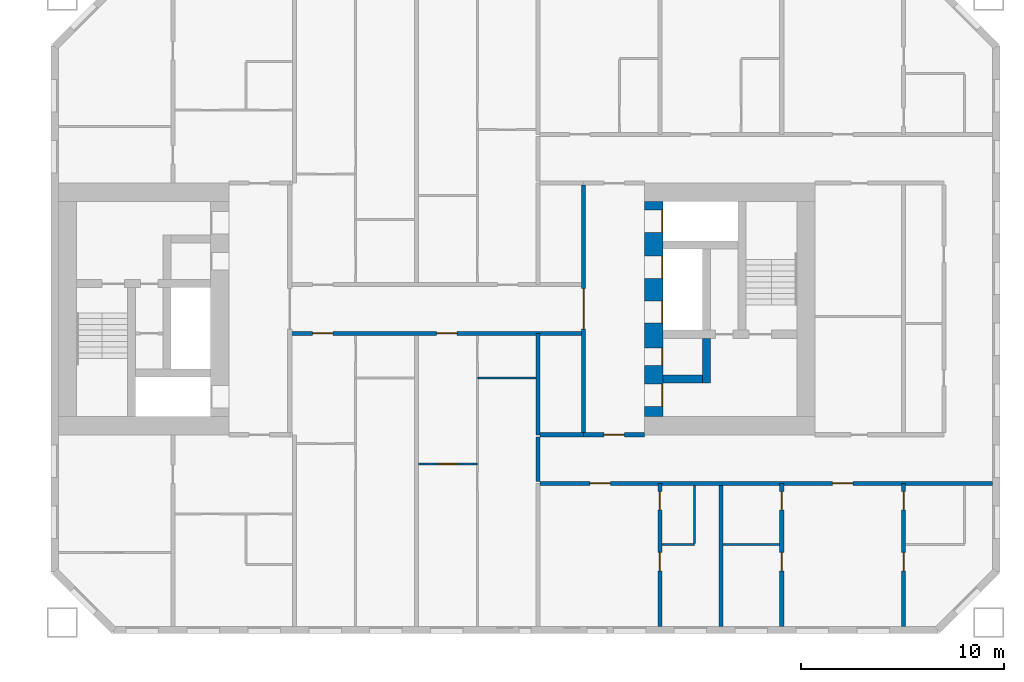
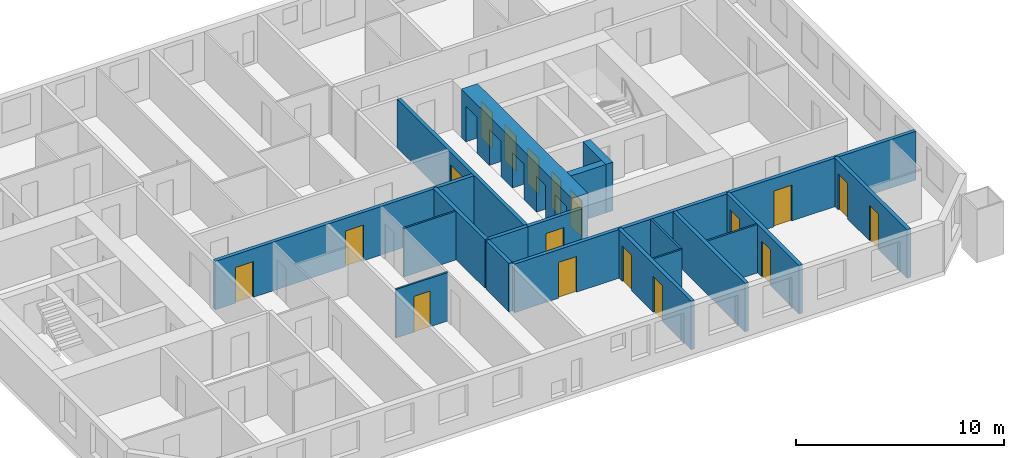
# One storey, part 11 of 16: 19 walls, 18 doors, 18 openings.
"""IFC4 building model written with IfcOpenShell, lengths in metres."""

import ifcopenshell
import ifcopenshell.guid

model = None  # the IFC model being written
_history = None  # IfcOwnerHistory: only IFC2X3 demands one
_inside = {}  # id of a spatial element -> (the spatial element, [elements in it])
_under = {}  # id of a project, library or spatial element -> (it, [spatial elements below it])
_declared = {}  # id of a project -> (the project, [libraries it declares])
_typed = {}  # id of a type object -> (the type object, [elements of that type])
_made_of = {}  # id of a material, layer set ... -> (it, [elements and type objects made of it])


def new_model(schema):
    """Start an empty IFC model of exactly this schema.

    Asked for "IFC4X3", IfcOpenShell would pick the latest addendum, in which some entities
    have other attributes; the version numbers below select the first issue.
    IFC2X3 requires an IfcOwnerHistory on every rooted entity: one is made here for all.
    """
    global model, _history
    if schema == "IFC4X3":
        model = ifcopenshell.file(schema_version=(4, 3, 0, 0))
    else:
        model = ifcopenshell.file(schema=schema)
    _inside.clear()
    _under.clear()
    _declared.clear()
    _typed.clear()
    _made_of.clear()
    _history = None
    if model.schema == "IFC2X3":
        org = make("IfcOrganization", Name="unknown")
        user = make(
            "IfcPersonAndOrganization",
            ThePerson=make("IfcPerson", FamilyName="unknown"),
            TheOrganization=org,
        )
        app = make(
            "IfcApplication",
            ApplicationDeveloper=org,
            Version="unknown",
            ApplicationFullName="unknown",
            ApplicationIdentifier="unknown",
        )
        _history = make(
            "IfcOwnerHistory",
            OwningUser=user,
            OwningApplication=app,
            ChangeAction="ADDED",
            CreationDate=0,
        )
    return model


def make(cls, **values):
    """One entity of the class cls with the attributes given. An attribute that is None is left unset."""
    return model.create_entity(
        cls, **{name: value for name, value in values.items() if value is not None}
    )


def rooted(cls, **values):
    """An entity with a GlobalId (a new one), such as an element, a storey or a relation."""
    return make(cls, GlobalId=ifcopenshell.guid.new(), OwnerHistory=_history, **values)


def si_unit(unit_type, name, prefix=None):
    """IfcSIUnit, for example si_unit("LENGTHUNIT", "METRE", prefix="MILLI")."""
    return make("IfcSIUnit", UnitType=unit_type, Prefix=prefix, Name=name)


def assignment(units):
    """IfcUnitAssignment: the units of a project."""
    return None if units is None else make("IfcUnitAssignment", Units=units)


def point(xyz):
    """IfcCartesianPoint."""
    return None if xyz is None else make("IfcCartesianPoint", Coordinates=xyz)


def direction(xyz):
    """IfcDirection."""
    return None if xyz is None else make("IfcDirection", DirectionRatios=xyz)


def frame(location, z_axis=None, x_axis=None):
    """IfcAxis2Placement3D, a coordinate frame: its origin and axes. An axis left out is left unset."""
    return make(
        "IfcAxis2Placement3D",
        Location=point(location),
        Axis=direction(z_axis),
        RefDirection=direction(x_axis),
    )


def frame_2d(location, x_axis=None):
    """IfcAxis2Placement2D, a coordinate frame in the plane: its origin and x axis."""
    return make(
        "IfcAxis2Placement2D", Location=point(location), RefDirection=direction(x_axis)
    )


def origin():
    """The frame at (0, 0, 0) with its axes left unset."""
    return frame((0.0, 0.0, 0.0))


def place(relative_to, where):
    """IfcLocalPlacement: puts the frame where relative to a parent placement (None: the world)."""
    return make(
        "IfcLocalPlacement", PlacementRelTo=relative_to, RelativePlacement=where
    )


def context(
    kind, dimensions, precision=None, world=None, true_north=None, identifier=None
):
    """IfcGeometricRepresentationContext, for example the 3D "Model" context."""
    return make(
        "IfcGeometricRepresentationContext",
        ContextIdentifier=identifier,
        ContextType=kind,
        CoordinateSpaceDimension=dimensions,
        Precision=precision,
        WorldCoordinateSystem=world,
        TrueNorth=true_north,
    )


def subcontext(parent, identifier, kind, view, scale=None):
    """IfcGeometricRepresentationSubContext, for example "Body" below "Model"."""
    return make(
        "IfcGeometricRepresentationSubContext",
        ContextIdentifier=identifier,
        ContextType=kind,
        ParentContext=parent,
        TargetScale=scale,
        TargetView=view,
    )


def project(units=None, contexts=None):
    """IfcProject with its units and contexts."""
    return rooted(
        "IfcProject",
        Name="project",
        RepresentationContexts=contexts,
        UnitsInContext=assignment(units),
    )


def spatial(cls, under=None, at=None, **own):
    """A site, building, storey or space (cls), placed at a placement, below another one or the project."""
    s = rooted(cls, ObjectPlacement=at, **own)
    if under is not None:
        _under.setdefault(under.id(), (under, []))[1].append(s)
    return s


def profile(cls, at=None, kind="AREA", **sizes):
    """A parametric profile (cls). Its sizes go by their IFC names, for example OverallWidth=200.0."""
    return make(cls, ProfileType=kind, Position=at, **sizes)


def rectangle(**sizes):
    """IfcRectangleProfileDef."""
    return profile("IfcRectangleProfileDef", **sizes)


def extrude(swept, where, along, depth):
    """IfcExtrudedAreaSolid: the profile swept, set in the frame where, extruded along a direction by depth."""
    return make(
        "IfcExtrudedAreaSolid",
        SweptArea=swept,
        Position=where,
        ExtrudedDirection=direction(along),
        Depth=depth,
    )


def shape(context_of_items, identifier, shape_type, items):
    """IfcShapeRepresentation: the items that make up one representation, for example the "Body"."""
    return make(
        "IfcShapeRepresentation",
        ContextOfItems=context_of_items,
        RepresentationIdentifier=identifier,
        RepresentationType=shape_type,
        Items=items,
    )


def material(Name=None, Category=None):
    """IfcMaterial."""
    return make("IfcMaterial", Name=Name, Category=Category)


def layer(
    of_material, thickness, ventilated=None, Name=None, Category=None, Priority=None
):
    """IfcMaterialLayer: one layer of a wall or slab, of a material (None: an air gap)."""
    return make(
        "IfcMaterialLayer",
        Material=of_material,
        LayerThickness=thickness,
        IsVentilated=ventilated,
        Name=Name,
        Category=Category,
        Priority=Priority,
    )


def layer_set(layers, Name=None):
    """IfcMaterialLayerSet."""
    return make("IfcMaterialLayerSet", MaterialLayers=layers, LayerSetName=Name)


def made_of(thing, what):
    """Note that an element or type object is made of a material, layer set ...; save() writes the relation."""
    if what is not None:
        _made_of.setdefault(what.id(), (what, []))[1].append(thing)
    return thing


def type_object(cls, material=None, **own):
    """A type object (cls), such as IfcWallType, which elements share."""
    return made_of(rooted(cls, **own), material)


def element(
    cls,
    number,
    at=None,
    inside=None,
    cuts=None,
    type_object=None,
    material=None,
    context=None,
    identifier="Body",
    shape_type=None,
    held_by="IfcProductDefinitionShape",
    body=None,
    shapes=None,
    **own,
):
    """One element of the class cls, such as IfcWall. Its Tag is "e" and its number.

    at: its placement. inside: the storey or other place that contains it. cuts: it is an
    opening in that element (IfcRelVoidsElement). A single representation is given by context,
    identifier, shape_type and body (its items); several are given by shapes. held_by: the class
    of the entity that holds the representations. save() writes the other relations.
    """
    e = rooted(cls, Tag="e%d" % number, ObjectPlacement=at, **own)
    if body is not None:
        shapes = [shape(context, identifier, shape_type, body)]
    if shapes is not None:
        e.Representation = make(held_by, Representations=shapes)
    if inside is not None:
        _inside.setdefault(inside.id(), (inside, []))[1].append(e)
    if cuts is not None:
        rooted(
            "IfcRelVoidsElement", RelatingBuildingElement=cuts, RelatedOpeningElement=e
        )
    if type_object is not None:
        _typed.setdefault(type_object.id(), (type_object, []))[1].append(e)
    return made_of(e, material)


def fill(opening, filler):
    """IfcRelFillsElement: the door or window that sits in an opening."""
    return rooted(
        "IfcRelFillsElement",
        RelatingOpeningElement=opening,
        RelatedBuildingElement=filler,
    )


def aggregate(whole, parts):
    """IfcRelAggregates: a whole, such as a stair, and the parts it consists of."""
    return rooted("IfcRelAggregates", RelatingObject=whole, RelatedObjects=parts)


def save(model, path):
    """Write the relations noted so far, then the file.

    IfcRelAggregates (storeys below a building ...), IfcRelContainedInSpatialStructure (elements
    in a storey), IfcRelDefinesByType, IfcRelAssociatesMaterial and IfcRelDeclares: one each for
    every whole, place, type object, material and project.
    """
    for whole, parts in _under.values():
        aggregate(whole, parts)
    for where, things in _inside.values():
        rooted(
            "IfcRelContainedInSpatialStructure",
            RelatedElements=things,
            RelatingStructure=where,
        )
    for kind, things in _typed.values():
        rooted("IfcRelDefinesByType", RelatedObjects=things, RelatingType=kind)
    for what, things in _made_of.values():
        rooted("IfcRelAssociatesMaterial", RelatedObjects=things, RelatingMaterial=what)
    for by, libraries in _declared.values():
        rooted("IfcRelDeclares", RelatingContext=by, RelatedDefinitions=libraries)
    model.write(path)


model = new_model("IFC4")

# Units and contexts
model_context = context("Model", 3, precision=1e-05, world=origin(), true_north=direction((0.0, 1.0)))
body_context = subcontext(model_context, "Body", "Model", "MODEL_VIEW")
ifc_project = project(units=[si_unit("LENGTHUNIT", "METRE"), si_unit("AREAUNIT", "SQUARE_METRE"), si_unit("VOLUMEUNIT", "CUBIC_METRE"), si_unit("PLANEANGLEUNIT", "RADIAN"), si_unit("MASSUNIT", "GRAM", prefix="KILO")], contexts=[model_context])

# Site, building, storey
site_placement = place(None, origin())
site = spatial("IfcSite", under=ifc_project, at=site_placement, CompositionType="ELEMENT")
building_placement = place(site_placement, origin())
building = spatial("IfcBuilding", under=site, at=building_placement, Name="Tuart Gate Housing", CompositionType="ELEMENT")
storey_placement = place(building_placement, frame((0.0, 0.0, 35.0)))
storey = spatial("IfcBuildingStorey", under=building, at=storey_placement, Name="L09", CompositionType="ELEMENT", Elevation=35.0)

# Walls
ifc_material_1 = material(Name="Concrete C60", Category="concrete")
ifc_layer_1 = layer(ifc_material_1, 0.39990234375)
ifc_layer_set_1 = layer_set([ifc_layer_1], Name="Core wall 400 C60")
wall_type_1 = type_object("IfcWallType", Name="Core wall 400 C60", PredefinedType="SHEAR", material=ifc_layer_set_1)
wall_1_placement = place(storey_placement, frame((161.139892578125, 66.550048828125, 0.0), z_axis=(0.0, 0.0, 1.0), x_axis=(1.0, 0.0, 0.0)))
element("IfcWall", 1, at=wall_1_placement, inside=storey, type_object=wall_type_1, Name="Core wall BK.3", PredefinedType="SHEAR", context=body_context, shape_type="SweptSolid", body=[
    extrude(rectangle(XDim=1.9501953125, YDim=0.39990234375, at=frame_2d((0.97509765625, 0.0))), origin(), (0.0, 0.0, 1.0), 2.85009765625),
])
wall_2_placement = place(storey_placement, frame((163.2900390625, 68.550048828125, 0.0), z_axis=(0.0, 0.0, 1.0), x_axis=(0.0, -1.0, 0.0)))
element("IfcWall", 2, at=wall_2_placement, inside=storey, type_object=wall_type_1, Name="Core wall BK.5", PredefinedType="SHEAR", context=body_context, shape_type="SweptSolid", body=[
    extrude(rectangle(XDim=2.199951171875, YDim=0.39990234375, at=frame_2d((1.10009765625, 0.0))), origin(), (0.0, 0.0, 1.0), 2.85009765625),
])

# Wall, openings, doors
ifc_material_2 = material(Name="Concrete C60", Category="concrete")
ifc_layer_2 = layer(ifc_material_2, 0.89990234375)
ifc_layer_set_2 = layer_set([ifc_layer_2], Name="Core wall 900 C60")
wall_type_2 = type_object("IfcWallType", Name="Core wall 900 C60", PredefinedType="SHEAR", material=ifc_layer_set_2)
wall_3_placement = place(storey_placement, frame((160.68994140625, 75.300048828125, 0.0), z_axis=(0.0, 0.0, 1.0), x_axis=(0.0, -1.0, 0.0)))
wall_3 = element("IfcWall", 3, at=wall_3_placement, inside=storey, type_object=wall_type_2, Name="Core wall BK front", PredefinedType="SHEAR", context=body_context, shape_type="SweptSolid", body=[
    extrude(rectangle(XDim=10.60009765625, YDim=0.89990234375, at=frame_2d((5.300048828125, 0.0))), origin(), (0.0, 0.0, 1.0), 2.85009765625),
])
opening_1_placement = place(wall_3_placement, frame((0.425048828125, 0.0, 0.0)))
opening_1 = element("IfcOpeningElement", 4, at=opening_1_placement, cuts=wall_3, Name="Opening LD-FB2", PredefinedType="OPENING", context=body_context, shape_type="SweptSolid", body=[
    extrude(rectangle(XDim=1.10009765625, YDim=2.10009765625, at=frame_2d((0.550048828125, 1.050048828125))), frame((0.0, 0.4599609375, 0.0), z_axis=(0.0, -1.0, 0.0), x_axis=(1.0, 0.0, 0.0)), (0.0, 0.0, 1.0), 0.919921875),
])
opening_2_placement = place(wall_3_placement, frame((2.699951171875, 0.0, 0.0)))
opening_2 = element("IfcOpeningElement", 5, at=opening_2_placement, cuts=wall_3, Name="Opening LD-LB3", PredefinedType="OPENING", context=body_context, shape_type="SweptSolid", body=[
    extrude(rectangle(XDim=1.10009765625, YDim=2.10009765625, at=frame_2d((0.550048828125, 1.050048828125))), frame((0.0, 0.4599609375, 0.0), z_axis=(0.0, -1.0, 0.0), x_axis=(1.0, 0.0, 0.0)), (0.0, 0.0, 1.0), 0.919921875),
])
opening_3_placement = place(wall_3_placement, frame((4.89990234375, 0.0, 0.0)))
opening_3 = element("IfcOpeningElement", 6, at=opening_3_placement, cuts=wall_3, Name="Opening LD-LB4", PredefinedType="OPENING", context=body_context, shape_type="SweptSolid", body=[
    extrude(rectangle(XDim=1.10009765625, YDim=2.10009765625, at=frame_2d((0.550048828125, 1.050048828125))), frame((0.0, 0.4599609375, 0.0), z_axis=(0.0, -1.0, 0.0), x_axis=(1.0, 0.0, 0.0)), (0.0, 0.0, 1.0), 0.919921875),
])
opening_4_placement = place(wall_3_placement, frame((9.0, 0.0, 0.0)))
opening_4 = element("IfcOpeningElement", 7, at=opening_4_placement, cuts=wall_3, Name="Opening D560", PredefinedType="OPENING", context=body_context, shape_type="SweptSolid", body=[
    extrude(rectangle(XDim=1.10009765625, YDim=2.10009765625, at=frame_2d((0.550048828125, 1.050048828125))), frame((0.0, 0.4599609375, 0.0), z_axis=(0.0, -1.0, 0.0), x_axis=(1.0, 0.0, 0.0)), (0.0, 0.0, 1.0), 0.919921875),
])
opening_5_placement = place(wall_3_placement, frame((7.22509765625, 0.0, 0.0)))
opening_5 = element("IfcOpeningElement", 8, at=opening_5_placement, cuts=wall_3, Name="Opening D561", PredefinedType="OPENING", context=body_context, shape_type="SweptSolid", body=[
    extrude(rectangle(XDim=0.85009765625, YDim=2.10009765625, at=frame_2d((0.425048828125, 1.050048828125))), frame((0.0, 0.4599609375, 0.0), z_axis=(0.0, -1.0, 0.0), x_axis=(1.0, 0.0, 0.0)), (0.0, 0.0, 1.0), 0.919921875),
])
ifc_material_3 = material(Name="Stainless steel", Category="steel")
door_type_1 = type_object("IfcDoorType", Name="Landing door 1100 x 2100", OperationType="DOUBLE_DOOR_SLIDING", PredefinedType="DOOR", material=ifc_material_3)
door_1_placement = place(opening_1_placement, origin())
door_1 = element("IfcDoor", 9, at=door_1_placement, inside=storey, type_object=door_type_1, Name="Lift landing door FB2", OperationType="DOUBLE_DOOR_SLIDING", OverallHeight=2.10009765625, OverallWidth=1.10009765625, PredefinedType="DOOR", context=body_context, shape_type="SweptSolid", body=[
    extrude(rectangle(XDim=1.10009765625, YDim=2.10009765625, at=frame_2d((0.550048828125, 1.050048828125))), frame((0.0, 0.43505859375, 0.0), z_axis=(0.0, -1.0, 0.0), x_axis=(1.0, 0.0, 0.0)), (0.0, 0.0, 1.0), 0.050048828125),
])
fill(opening_1, door_1)
door_2_placement = place(opening_2_placement, origin())
door_2 = element("IfcDoor", 10, at=door_2_placement, inside=storey, type_object=door_type_1, Name="Lift landing door LB3", OperationType="DOUBLE_DOOR_SLIDING", OverallHeight=2.10009765625, OverallWidth=1.10009765625, PredefinedType="DOOR", context=body_context, shape_type="SweptSolid", body=[
    extrude(rectangle(XDim=1.10009765625, YDim=2.10009765625, at=frame_2d((0.550048828125, 1.050048828125))), frame((0.0, 0.43505859375, 0.0), z_axis=(0.0, -1.0, 0.0), x_axis=(1.0, 0.0, 0.0)), (0.0, 0.0, 1.0), 0.050048828125),
])
fill(opening_2, door_2)
door_3_placement = place(opening_3_placement, origin())
door_3 = element("IfcDoor", 11, at=door_3_placement, inside=storey, type_object=door_type_1, Name="Lift landing door LB4", OperationType="DOUBLE_DOOR_SLIDING", OverallHeight=2.10009765625, OverallWidth=1.10009765625, PredefinedType="DOOR", context=body_context, shape_type="SweptSolid", body=[
    extrude(rectangle(XDim=1.10009765625, YDim=2.10009765625, at=frame_2d((0.550048828125, 1.050048828125))), frame((0.0, 0.43505859375, 0.0), z_axis=(0.0, -1.0, 0.0), x_axis=(1.0, 0.0, 0.0)), (0.0, 0.0, 1.0), 0.050048828125),
])
fill(opening_3, door_3)
ifc_material_4 = material(Name="Steel fire door", Category="steel")
door_type_2 = type_object("IfcDoorType", Name="Lobby door 1100 x 2100", OperationType="SINGLE_SWING_LEFT", PredefinedType="DOOR", material=ifc_material_4)
door_4_placement = place(opening_4_placement, origin())
door_4 = element("IfcDoor", 12, at=door_4_placement, inside=storey, type_object=door_type_2, Name="Lobby entry door BK.EN", OperationType="SINGLE_SWING_LEFT", OverallHeight=2.10009765625, OverallWidth=1.10009765625, PredefinedType="DOOR", context=body_context, shape_type="SweptSolid", body=[
    extrude(rectangle(XDim=1.10009765625, YDim=2.10009765625, at=frame_2d((0.550048828125, 1.050048828125))), frame((0.0, 0.43505859375, 0.0), z_axis=(0.0, -1.0, 0.0), x_axis=(1.0, 0.0, 0.0)), (0.0, 0.0, 1.0), 0.050048828125),
])
fill(opening_4, door_4)
ifc_material_5 = material(Name="Steel fire door", Category="steel")
door_type_3 = type_object("IfcDoorType", Name="Service door 850 x 2100", OperationType="SINGLE_SWING_LEFT", PredefinedType="DOOR", material=ifc_material_5)
door_5_placement = place(opening_5_placement, origin())
door_5 = element("IfcDoor", 13, at=door_5_placement, inside=storey, type_object=door_type_3, Name="Service room door BK.T1", OperationType="SINGLE_SWING_LEFT", OverallHeight=2.10009765625, OverallWidth=0.85009765625, PredefinedType="DOOR", context=body_context, shape_type="SweptSolid", body=[
    extrude(rectangle(XDim=0.85009765625, YDim=2.10009765625, at=frame_2d((0.425048828125, 1.050048828125))), frame((0.0, 0.43505859375, 0.0), z_axis=(0.0, -1.0, 0.0), x_axis=(1.0, 0.0, 0.0)), (0.0, 0.0, 1.0), 0.050048828125),
])
fill(opening_5, door_5)

ifc_material_6 = material(Name="Concrete masonry 15 MPa", Category="masonry")
ifc_layer_3 = layer(ifc_material_6, 0.199951171875)
ifc_layer_set_3 = layer_set([ifc_layer_3], Name="Corridor wall masonry 200")
wall_type_3 = type_object("IfcWallType", Name="Corridor wall masonry 200", PredefinedType="PARTITIONING", material=ifc_layer_set_3)
wall_4_placement = place(storey_placement, frame((155.10009765625, 61.39990234375, 0.0), z_axis=(0.0, 0.0, 1.0), x_axis=(1.0, 0.0, 0.0)))
wall_4 = element("IfcWall", 14, at=wall_4_placement, inside=storey, type_object=wall_type_3, Name="Corridor wall masonry 200", PredefinedType="PARTITIONING", context=body_context, shape_type="SweptSolid", body=[
    extrude(rectangle(XDim=22.289794921875, YDim=0.199951171875, at=frame_2d((11.14501953125, 0.0))), origin(), (0.0, 0.0, 1.0), 2.85009765625),
])
opening_6_placement = place(wall_4_placement, frame((2.449951171875, 0.0, 0.0)))
opening_6 = element("IfcOpeningElement", 15, at=opening_6_placement, cuts=wall_4, Name="Opening D578", PredefinedType="OPENING", context=body_context, shape_type="SweptSolid", body=[
    extrude(rectangle(XDim=1.0, YDim=2.10009765625, at=frame_2d((0.5, 1.050048828125))), frame((0.0, 0.10986328125, 0.0), z_axis=(0.0, -1.0, 0.0), x_axis=(1.0, 0.0, 0.0)), (0.0, 0.0, 1.0), 0.219970703125),
])
opening_7_placement = place(wall_4_placement, frame((14.39990234375, 0.0, 0.0)))
opening_7 = element("IfcOpeningElement", 16, at=opening_7_placement, cuts=wall_4, Name="Opening D579", PredefinedType="OPENING", context=body_context, shape_type="SweptSolid", body=[
    extrude(rectangle(XDim=1.0, YDim=2.10009765625, at=frame_2d((0.5, 1.050048828125))), frame((0.0, 0.10986328125, 0.0), z_axis=(0.0, -1.0, 0.0), x_axis=(1.0, 0.0, 0.0)), (0.0, 0.0, 1.0), 0.219970703125),
])
ifc_material_7 = material(Name="Timber door leaf in steel frame", Category="steel")
door_type_4 = type_object("IfcDoorType", Name="Flat entrance door 1000", OperationType="SINGLE_SWING_LEFT", PredefinedType="DOOR", material=ifc_material_7)
door_6_placement = place(opening_6_placement, frame((1.0, 0.0, 0.0), z_axis=(0.0, 0.0, 1.0), x_axis=(-1.0, 0.0, 0.0)))
door_6 = element("IfcDoor", 17, at=door_6_placement, inside=storey, type_object=door_type_4, Name="Flat entrance door", OperationType="SINGLE_SWING_LEFT", OverallHeight=2.10009765625, OverallWidth=1.0, PredefinedType="DOOR", context=body_context, shape_type="SweptSolid", body=[
    extrude(rectangle(XDim=1.0, YDim=2.10009765625, at=frame_2d((0.5, 1.050048828125))), frame((0.0, 0.025146484375, 0.0), z_axis=(0.0, -1.0, 0.0), x_axis=(1.0, 0.0, 0.0)), (0.0, 0.0, 1.0), 0.050048828125),
])
fill(opening_6, door_6)
ifc_material_8 = material(Name="Timber door leaf in steel frame", Category="steel")
door_type_5 = type_object("IfcDoorType", Name="Flat entrance door 1000 RH", OperationType="SINGLE_SWING_RIGHT", PredefinedType="DOOR", material=ifc_material_8)
door_7_placement = place(opening_7_placement, frame((1.0, 0.0, 0.0), z_axis=(0.0, 0.0, 1.0), x_axis=(-1.0, 0.0, 0.0)))
door_7 = element("IfcDoor", 18, at=door_7_placement, inside=storey, type_object=door_type_5, Name="Flat entrance door", OperationType="SINGLE_SWING_RIGHT", OverallHeight=2.10009765625, OverallWidth=1.0, PredefinedType="DOOR", context=body_context, shape_type="SweptSolid", body=[
    extrude(rectangle(XDim=1.0, YDim=2.10009765625, at=frame_2d((0.5, 1.050048828125))), frame((0.0, 0.025146484375, 0.0), z_axis=(0.0, -1.0, 0.0), x_axis=(1.0, 0.0, 0.0)), (0.0, 0.0, 1.0), 0.050048828125),
])
fill(opening_7, door_7)

# Wall
wall_5_placement = place(storey_placement, frame((155.10009765625, 63.800048828125, 0.0), z_axis=(0.0, 0.0, 1.0), x_axis=(1.0, 0.0, 0.0)))
element("IfcWall", 19, at=wall_5_placement, inside=storey, type_object=wall_type_3, Name="Corridor wall masonry 200", PredefinedType="PARTITIONING", context=body_context, shape_type="SweptSolid", body=[
    extrude(rectangle(XDim=2.139892578125, YDim=0.199951171875, at=frame_2d((1.06982421875, 0.0))), origin(), (0.0, 0.0, 1.0), 2.85009765625),
])

# Wall, openings, doors
wall_6_placement = place(storey_placement, frame((142.760009765625, 68.800048828125, 0.0), z_axis=(0.0, 0.0, 1.0), x_axis=(1.0, 0.0, 0.0)))
wall_6 = element("IfcWall", 20, at=wall_6_placement, inside=storey, type_object=wall_type_3, Name="Corridor wall masonry 200", PredefinedType="PARTITIONING", context=body_context, shape_type="SweptSolid", body=[
    extrude(rectangle(XDim=14.47998046875, YDim=0.199951171875, at=frame_2d((7.239990234375, 0.0))), origin(), (0.0, 0.0, 1.0), 2.85009765625),
])
opening_8_placement = place(wall_6_placement, frame((1.1201171875, 0.0, 0.0)))
opening_8 = element("IfcOpeningElement", 21, at=opening_8_placement, cuts=wall_6, Name="Opening D565", PredefinedType="OPENING", context=body_context, shape_type="SweptSolid", body=[
    extrude(rectangle(XDim=1.0, YDim=2.10009765625, at=frame_2d((0.5, 1.050048828125))), frame((0.0, 0.10986328125, 0.0), z_axis=(0.0, -1.0, 0.0), x_axis=(1.0, 0.0, 0.0)), (0.0, 0.0, 1.0), 0.219970703125),
])
opening_9_placement = place(wall_6_placement, frame((7.239990234375, 0.0, 0.0)))
opening_9 = element("IfcOpeningElement", 22, at=opening_9_placement, cuts=wall_6, Name="Opening D566", PredefinedType="OPENING", context=body_context, shape_type="SweptSolid", body=[
    extrude(rectangle(XDim=1.0, YDim=2.10009765625, at=frame_2d((0.5, 1.050048828125))), frame((0.0, 0.10986328125, 0.0), z_axis=(0.0, -1.0, 0.0), x_axis=(1.0, 0.0, 0.0)), (0.0, 0.0, 1.0), 0.219970703125),
])
door_8_placement = place(opening_8_placement, frame((1.0, 0.0, 0.0), z_axis=(0.0, 0.0, 1.0), x_axis=(-1.0, 0.0, 0.0)))
door_8 = element("IfcDoor", 23, at=door_8_placement, inside=storey, type_object=door_type_5, Name="Flat entrance door", OperationType="SINGLE_SWING_RIGHT", OverallHeight=2.10009765625, OverallWidth=1.0, PredefinedType="DOOR", context=body_context, shape_type="SweptSolid", body=[
    extrude(rectangle(XDim=1.0, YDim=2.10009765625, at=frame_2d((0.5, 1.050048828125))), frame((0.0, 0.025146484375, 0.0), z_axis=(0.0, -1.0, 0.0), x_axis=(1.0, 0.0, 0.0)), (0.0, 0.0, 1.0), 0.050048828125),
])
fill(opening_8, door_8)
door_9_placement = place(opening_9_placement, frame((1.0, 0.0, 0.0), z_axis=(0.0, 0.0, 1.0), x_axis=(-1.0, 0.0, 0.0)))
door_9 = element("IfcDoor", 24, at=door_9_placement, inside=storey, type_object=door_type_5, Name="Flat entrance door", OperationType="SINGLE_SWING_RIGHT", OverallHeight=2.10009765625, OverallWidth=1.0, PredefinedType="DOOR", context=body_context, shape_type="SweptSolid", body=[
    extrude(rectangle(XDim=1.0, YDim=2.10009765625, at=frame_2d((0.5, 1.050048828125))), frame((0.0, 0.025146484375, 0.0), z_axis=(0.0, -1.0, 0.0), x_axis=(1.0, 0.0, 0.0)), (0.0, 0.0, 1.0), 0.050048828125),
])
fill(opening_9, door_9)

# Wall
wall_7_placement = place(storey_placement, frame((155.0, 61.5, 0.0), z_axis=(0.0, 0.0, 1.0), x_axis=(0.0, 1.0, 0.0)))
element("IfcWall", 25, at=wall_7_placement, inside=storey, type_object=wall_type_3, Name="Corridor wall masonry 200", PredefinedType="PARTITIONING", context=body_context, shape_type="SweptSolid", body=[
    extrude(rectangle(XDim=2.199951171875, YDim=0.199951171875, at=frame_2d((1.10009765625, 0.0))), origin(), (0.0, 0.0, 1.0), 2.85009765625),
])

# Wall, opening, door
ifc_material_9 = material(Name="Concrete masonry 15 MPa", Category="masonry")
ifc_layer_4 = layer(ifc_material_9, 0.199951171875)
ifc_layer_set_4 = layer_set([ifc_layer_4], Name="Enclosure wall masonry 200")
wall_type_4 = type_object("IfcWallType", Name="Enclosure wall masonry 200", PredefinedType="PARTITIONING", material=ifc_layer_set_4)
wall_8_placement = place(storey_placement, frame((157.239990234375, 63.800048828125, 0.0), z_axis=(0.0, 0.0, 1.0), x_axis=(1.0, 0.0, 0.0)))
wall_8 = element("IfcWall", 26, at=wall_8_placement, inside=storey, type_object=wall_type_4, Name="Enclosure wall masonry 200", PredefinedType="PARTITIONING", context=body_context, shape_type="SweptSolid", body=[
    extrude(rectangle(XDim=3.0, YDim=0.199951171875, at=frame_2d((1.5, 0.0))), origin(), (0.0, 0.0, 1.0), 2.85009765625),
])
opening_10_placement = place(wall_8_placement, frame((1.0, 0.0, 0.0)))
opening_10 = element("IfcOpeningElement", 27, at=opening_10_placement, cuts=wall_8, Name="Opening D570", PredefinedType="OPENING", context=body_context, shape_type="SweptSolid", body=[
    extrude(rectangle(XDim=1.0, YDim=2.10009765625, at=frame_2d((0.5, 1.050048828125))), frame((0.0, 0.10986328125, 0.0), z_axis=(0.0, -1.0, 0.0), x_axis=(1.0, 0.0, 0.0)), (0.0, 0.0, 1.0), 0.219970703125),
])
ifc_material_10 = material(Name="Timber door leaf in steel frame", Category="steel")
door_type_6 = type_object("IfcDoorType", Name="Fire door 1000 RH", OperationType="SINGLE_SWING_RIGHT", PredefinedType="DOOR", material=ifc_material_10)
door_10_placement = place(opening_10_placement, frame((1.0, 0.0, 0.0), z_axis=(0.0, 0.0, 1.0), x_axis=(-1.0, 0.0, 0.0)))
door_10 = element("IfcDoor", 28, at=door_10_placement, inside=storey, type_object=door_type_6, Name="Fire door", OperationType="SINGLE_SWING_RIGHT", OverallHeight=2.10009765625, OverallWidth=1.0, PredefinedType="DOOR", context=body_context, shape_type="SweptSolid", body=[
    extrude(rectangle(XDim=1.0, YDim=2.10009765625, at=frame_2d((0.5, 1.050048828125))), frame((0.0, 0.025146484375, 0.0), z_axis=(0.0, -1.0, 0.0), x_axis=(1.0, 0.0, 0.0)), (0.0, 0.0, 1.0), 0.050048828125),
])
fill(opening_10, door_10)

ifc_material_11 = material(Name="Plasterboard partition")
ifc_layer_5 = layer(ifc_material_11, 0.199951171875)
ifc_layer_set_5 = layer_set([ifc_layer_5], Name="Lobby wall 200")
wall_type_5 = type_object("IfcWallType", Name="Lobby wall 200", PredefinedType="PARTITIONING", material=ifc_layer_set_5)
wall_9_placement = place(storey_placement, frame((157.239990234375, 63.89990234375, 0.0), z_axis=(0.0, 0.0, 1.0), x_axis=(0.0, 1.0, 0.0)))
wall_9 = element("IfcWall", 29, at=wall_9_placement, inside=storey, type_object=wall_type_5, Name="Lift lobby wall BK", PredefinedType="PARTITIONING", context=body_context, shape_type="SweptSolid", body=[
    extrude(rectangle(XDim=12.2001953125, YDim=0.199951171875, at=frame_2d((6.10009765625, 0.0))), origin(), (0.0, 0.0, 1.0), 2.85009765625),
])
opening_11_placement = place(wall_9_placement, frame((5.10009765625, 0.0, 0.0)))
opening_11 = element("IfcOpeningElement", 30, at=opening_11_placement, cuts=wall_9, Name="Opening D559", PredefinedType="OPENING", context=body_context, shape_type="SweptSolid", body=[
    extrude(rectangle(XDim=2.0, YDim=2.10009765625, at=frame_2d((1.0, 1.050048828125))), frame((0.0, 0.10986328125, 0.0), z_axis=(0.0, -1.0, 0.0), x_axis=(1.0, 0.0, 0.0)), (0.0, 0.0, 1.0), 0.219970703125),
])
ifc_material_12 = material(Name="Steel fire door", Category="steel")
door_type_7 = type_object("IfcDoorType", Name="Smoke door 2000 x 2100", OperationType="DOUBLE_DOOR_SINGLE_SWING", PredefinedType="DOOR", material=ifc_material_12)
door_11_placement = place(opening_11_placement, frame((2.0, 0.0, 0.0), z_axis=(0.0, 0.0, 1.0), x_axis=(-1.0, 0.0, 0.0)))
door_11 = element("IfcDoor", 31, at=door_11_placement, inside=storey, type_object=door_type_7, Name="Lift lobby smoke door BK", OperationType="DOUBLE_DOOR_SINGLE_SWING", OverallHeight=2.10009765625, OverallWidth=2.0, PredefinedType="DOOR", context=body_context, shape_type="SweptSolid", body=[
    extrude(rectangle(XDim=2.0, YDim=2.10009765625, at=frame_2d((1.0, 1.050048828125))), frame((0.0, 0.025146484375, 0.0), z_axis=(0.0, -1.0, 0.0), x_axis=(1.0, 0.0, 0.0)), (0.0, 0.0, 1.0), 0.050048828125),
])
fill(opening_11, door_11)

# Walls
ifc_material_13 = material(Name="Gypsum board on steel studs", Category="steel")
ifc_layer_6 = layer(ifc_material_13, 0.10009765625)
ifc_layer_set_6 = layer_set([ifc_layer_6], Name="Partition 100")
wall_type_6 = type_object("IfcWallType", Name="Partition 100", PredefinedType="PARTITIONING", material=ifc_layer_set_6)
wall_10_placement = place(storey_placement, frame((161.10009765625, 58.39990234375, 0.0), z_axis=(0.0, 0.0, 1.0), x_axis=(1.0, 0.0, 0.0)))
element("IfcWall", 32, at=wall_10_placement, inside=storey, type_object=wall_type_6, Name="Partition 100", PredefinedType="PARTITIONING", context=body_context, shape_type="SweptSolid", body=[
    extrude(rectangle(XDim=1.599853515625, YDim=0.10009765625, at=frame_2d((0.7998046875, 0.0))), origin(), (0.0, 0.0, 1.0), 2.85009765625),
])
wall_11_placement = place(storey_placement, frame((164.10009765625, 58.39990234375, 0.0), z_axis=(0.0, 0.0, 1.0), x_axis=(1.0, 0.0, 0.0)))
element("IfcWall", 33, at=wall_11_placement, inside=storey, type_object=wall_type_6, Name="Partition 100", PredefinedType="PARTITIONING", context=body_context, shape_type="SweptSolid", body=[
    extrude(rectangle(XDim=2.7998046875, YDim=0.10009765625, at=frame_2d((1.39990234375, 0.0))), origin(), (0.0, 0.0, 1.0), 2.85009765625),
])

# Wall, opening, door
wall_12_placement = place(storey_placement, frame((149.10009765625, 62.360107421875, 0.0), z_axis=(0.0, 0.0, 1.0), x_axis=(1.0, 0.0, 0.0)))
wall_12 = element("IfcWall", 34, at=wall_12_placement, inside=storey, type_object=wall_type_6, Name="Partition 100", PredefinedType="PARTITIONING", context=body_context, shape_type="SweptSolid", body=[
    extrude(rectangle(XDim=2.89990234375, YDim=0.10009765625, at=frame_2d((1.449951171875, 0.0))), origin(), (0.0, 0.0, 1.0), 2.85009765625),
])
opening_12_placement = place(wall_12_placement, frame((1.0, 0.0, 0.0)))
opening_12 = element("IfcOpeningElement", 35, at=opening_12_placement, cuts=wall_12, Name="Opening D573", PredefinedType="OPENING", context=body_context, shape_type="SweptSolid", body=[
    extrude(rectangle(XDim=0.89990234375, YDim=2.10009765625, at=frame_2d((0.449951171875, 1.050048828125))), frame((0.0, 0.06005859375, 0.0), z_axis=(0.0, -1.0, 0.0), x_axis=(1.0, 0.0, 0.0)), (0.0, 0.0, 1.0), 0.1201171875),
])
ifc_material_14 = material(Name="Timber door leaf in steel frame", Category="steel")
door_type_8 = type_object("IfcDoorType", Name="Internal door 900 RH", OperationType="SINGLE_SWING_RIGHT", PredefinedType="DOOR", material=ifc_material_14)
door_12_placement = place(opening_12_placement, origin())
door_12 = element("IfcDoor", 36, at=door_12_placement, inside=storey, type_object=door_type_8, Name="Internal door", OperationType="SINGLE_SWING_RIGHT", OverallHeight=2.10009765625, OverallWidth=0.89990234375, PredefinedType="DOOR", context=body_context, shape_type="SweptSolid", body=[
    extrude(rectangle(XDim=0.89990234375, YDim=2.10009765625, at=frame_2d((0.449951171875, 1.050048828125))), frame((0.0, 0.02490234375, 0.0), z_axis=(0.0, -1.0, 0.0), x_axis=(1.0, 0.0, 0.0)), (0.0, 0.0, 1.0), 0.050048828125),
])
fill(opening_12, door_12)

# Walls
wall_13_placement = place(storey_placement, frame((152.0, 66.60009765625, 0.0), z_axis=(0.0, 0.0, 1.0), x_axis=(1.0, 0.0, 0.0)))
element("IfcWall", 37, at=wall_13_placement, inside=storey, type_object=wall_type_6, Name="Partition 100", PredefinedType="PARTITIONING", context=body_context, shape_type="SweptSolid", body=[
    extrude(rectangle(XDim=2.89990234375, YDim=0.10009765625, at=frame_2d((1.449951171875, 0.0))), origin(), (0.0, 0.0, 1.0), 2.85009765625),
])
wall_14_placement = place(storey_placement, frame((162.699951171875, 58.449951171875, 0.0), z_axis=(0.0, 0.0, 1.0), x_axis=(0.0, 1.0, 0.0)))
element("IfcWall", 38, at=wall_14_placement, inside=storey, type_object=wall_type_6, Name="Partition 100", PredefinedType="PARTITIONING", context=body_context, shape_type="SweptSolid", body=[
    extrude(rectangle(XDim=2.85009765625, YDim=0.10009765625, at=frame_2d((1.425048828125, 0.0))), origin(), (0.0, 0.0, 1.0), 2.85009765625),
])
ifc_material_15 = material(Name="Concrete C40", Category="concrete")
ifc_layer_7 = layer(ifc_material_15, 0.199951171875)
ifc_layer_set_7 = layer_set([ifc_layer_7], Name="Party wall concrete C40 200")
wall_type_7 = type_object("IfcWallType", Name="Party wall concrete C40 200", PredefinedType="SOLIDWALL", material=ifc_layer_set_7)
wall_15_placement = place(storey_placement, frame((155.0, 63.800048828125, 0.0), z_axis=(0.0, 0.0, 1.0), x_axis=(0.0, 1.0, 0.0)))
element("IfcWall", 39, at=wall_15_placement, inside=storey, type_object=wall_type_7, Name="Party wall concrete C40 200", PredefinedType="SOLIDWALL", context=body_context, shape_type="SweptSolid", body=[
    extrude(rectangle(XDim=5.0, YDim=0.199951171875, at=frame_2d((2.5, 0.0))), origin(), (0.0, 0.0, 1.0), 2.85009765625),
])

# Wall, openings, doors
wall_16_placement = place(storey_placement, frame((161.0, 54.360107421875, 0.0), z_axis=(0.0, 0.0, 1.0), x_axis=(0.0, 1.0, 0.0)))
wall_16 = element("IfcWall", 40, at=wall_16_placement, inside=storey, type_object=wall_type_7, Name="Party wall concrete C40 200", PredefinedType="SOLIDWALL", context=body_context, shape_type="SweptSolid", body=[
    extrude(rectangle(XDim=7.039794921875, YDim=0.199951171875, at=frame_2d((3.52001953125, 0.0))), origin(), (0.0, 0.0, 1.0), 2.85009765625),
])
opening_13_placement = place(wall_16_placement, frame((2.739990234375, 0.0, 0.0)))
opening_13 = element("IfcOpeningElement", 41, at=opening_13_placement, cuts=wall_16, Name="Opening D585", PredefinedType="OPENING", context=body_context, shape_type="SweptSolid", body=[
    extrude(rectangle(XDim=0.89990234375, YDim=2.10009765625, at=frame_2d((0.449951171875, 1.050048828125))), frame((0.0, 0.10986328125, 0.0), z_axis=(0.0, -1.0, 0.0), x_axis=(1.0, 0.0, 0.0)), (0.0, 0.0, 1.0), 0.219970703125),
])
opening_14_placement = place(wall_16_placement, frame((5.739990234375, 0.0, 0.0)))
opening_14 = element("IfcOpeningElement", 42, at=opening_14_placement, cuts=wall_16, Name="Opening D584", PredefinedType="OPENING", context=body_context, shape_type="SweptSolid", body=[
    extrude(rectangle(XDim=0.89990234375, YDim=2.10009765625, at=frame_2d((0.449951171875, 1.050048828125))), frame((0.0, 0.10986328125, 0.0), z_axis=(0.0, -1.0, 0.0), x_axis=(1.0, 0.0, 0.0)), (0.0, 0.0, 1.0), 0.219970703125),
])
ifc_material_16 = material(Name="Timber door leaf in steel frame", Category="steel")
door_type_9 = type_object("IfcDoorType", Name="Bathroom door 900", OperationType="SINGLE_SWING_LEFT", PredefinedType="DOOR", material=ifc_material_16)
door_13_placement = place(opening_14_placement, frame((0.89990234375, 0.0, 0.0), z_axis=(0.0, 0.0, 1.0), x_axis=(-1.0, 0.0, 0.0)))
door_13 = element("IfcDoor", 43, at=door_13_placement, inside=storey, type_object=door_type_9, Name="Bathroom door", OperationType="SINGLE_SWING_LEFT", OverallHeight=2.10009765625, OverallWidth=0.89990234375, PredefinedType="DOOR", context=body_context, shape_type="SweptSolid", body=[
    extrude(rectangle(XDim=0.89990234375, YDim=2.10009765625, at=frame_2d((0.449951171875, 1.050048828125))), frame((0.0, 0.025146484375, 0.0), z_axis=(0.0, -1.0, 0.0), x_axis=(1.0, 0.0, 0.0)), (0.0, 0.0, 1.0), 0.050048828125),
])
fill(opening_14, door_13)
ifc_material_17 = material(Name="Timber door leaf in steel frame", Category="steel")
door_type_10 = type_object("IfcDoorType", Name="Internal door 900", OperationType="SINGLE_SWING_LEFT", PredefinedType="DOOR", material=ifc_material_17)
door_14_placement = place(opening_13_placement, frame((0.89990234375, 0.0, 0.0), z_axis=(0.0, 0.0, 1.0), x_axis=(-1.0, 0.0, 0.0)))
door_14 = element("IfcDoor", 44, at=door_14_placement, inside=storey, type_object=door_type_10, Name="Internal door", OperationType="SINGLE_SWING_LEFT", OverallHeight=2.10009765625, OverallWidth=0.89990234375, PredefinedType="DOOR", context=body_context, shape_type="SweptSolid", body=[
    extrude(rectangle(XDim=0.89990234375, YDim=2.10009765625, at=frame_2d((0.449951171875, 1.050048828125))), frame((0.0, 0.025146484375, 0.0), z_axis=(0.0, -1.0, 0.0), x_axis=(1.0, 0.0, 0.0)), (0.0, 0.0, 1.0), 0.050048828125),
])
fill(opening_13, door_14)

wall_17_placement = place(storey_placement, frame((167.0, 54.360107421875, 0.0), z_axis=(0.0, 0.0, 1.0), x_axis=(0.0, 1.0, 0.0)))
wall_17 = element("IfcWall", 45, at=wall_17_placement, inside=storey, type_object=wall_type_7, Name="Party wall concrete C40 200", PredefinedType="SOLIDWALL", context=body_context, shape_type="SweptSolid", body=[
    extrude(rectangle(XDim=7.039794921875, YDim=0.199951171875, at=frame_2d((3.52001953125, 0.0))), origin(), (0.0, 0.0, 1.0), 2.85009765625),
])
opening_15_placement = place(wall_17_placement, frame((2.739990234375, 0.0, 0.0)))
opening_15 = element("IfcOpeningElement", 46, at=opening_15_placement, cuts=wall_17, Name="Opening D587", PredefinedType="OPENING", context=body_context, shape_type="SweptSolid", body=[
    extrude(rectangle(XDim=0.89990234375, YDim=2.10009765625, at=frame_2d((0.449951171875, 1.050048828125))), frame((0.0, 0.10986328125, 0.0), z_axis=(0.0, -1.0, 0.0), x_axis=(1.0, 0.0, 0.0)), (0.0, 0.0, 1.0), 0.219970703125),
])
opening_16_placement = place(wall_17_placement, frame((5.739990234375, 0.0, 0.0)))
opening_16 = element("IfcOpeningElement", 47, at=opening_16_placement, cuts=wall_17, Name="Opening D586", PredefinedType="OPENING", context=body_context, shape_type="SweptSolid", body=[
    extrude(rectangle(XDim=0.89990234375, YDim=2.10009765625, at=frame_2d((0.449951171875, 1.050048828125))), frame((0.0, 0.10986328125, 0.0), z_axis=(0.0, -1.0, 0.0), x_axis=(1.0, 0.0, 0.0)), (0.0, 0.0, 1.0), 0.219970703125),
])
ifc_material_18 = material(Name="Timber door leaf in steel frame", Category="steel")
door_type_11 = type_object("IfcDoorType", Name="Bathroom door 900 RH", OperationType="SINGLE_SWING_RIGHT", PredefinedType="DOOR", material=ifc_material_18)
door_15_placement = place(opening_16_placement, origin())
door_15 = element("IfcDoor", 48, at=door_15_placement, inside=storey, type_object=door_type_11, Name="Bathroom door", OperationType="SINGLE_SWING_RIGHT", OverallHeight=2.10009765625, OverallWidth=0.89990234375, PredefinedType="DOOR", context=body_context, shape_type="SweptSolid", body=[
    extrude(rectangle(XDim=0.89990234375, YDim=2.10009765625, at=frame_2d((0.449951171875, 1.050048828125))), frame((0.0, 0.02490234375, 0.0), z_axis=(0.0, -1.0, 0.0), x_axis=(1.0, 0.0, 0.0)), (0.0, 0.0, 1.0), 0.050048828125),
])
fill(opening_16, door_15)
door_16_placement = place(opening_15_placement, origin())
door_16 = element("IfcDoor", 49, at=door_16_placement, inside=storey, type_object=door_type_8, Name="Internal door", OperationType="SINGLE_SWING_RIGHT", OverallHeight=2.10009765625, OverallWidth=0.89990234375, PredefinedType="DOOR", context=body_context, shape_type="SweptSolid", body=[
    extrude(rectangle(XDim=0.89990234375, YDim=2.10009765625, at=frame_2d((0.449951171875, 1.050048828125))), frame((0.0, 0.02490234375, 0.0), z_axis=(0.0, -1.0, 0.0), x_axis=(1.0, 0.0, 0.0)), (0.0, 0.0, 1.0), 0.050048828125),
])
fill(opening_15, door_16)

wall_18_placement = place(storey_placement, frame((173.0, 54.360107421875, 0.0), z_axis=(0.0, 0.0, 1.0), x_axis=(0.0, 1.0, 0.0)))
wall_18 = element("IfcWall", 50, at=wall_18_placement, inside=storey, type_object=wall_type_7, Name="Party wall concrete C40 200", PredefinedType="SOLIDWALL", context=body_context, shape_type="SweptSolid", body=[
    extrude(rectangle(XDim=7.039794921875, YDim=0.199951171875, at=frame_2d((3.52001953125, 0.0))), origin(), (0.0, 0.0, 1.0), 2.85009765625),
])
opening_17_placement = place(wall_18_placement, frame((2.739990234375, 0.0, 0.0)))
opening_17 = element("IfcOpeningElement", 51, at=opening_17_placement, cuts=wall_18, Name="Opening D589", PredefinedType="OPENING", context=body_context, shape_type="SweptSolid", body=[
    extrude(rectangle(XDim=0.89990234375, YDim=2.10009765625, at=frame_2d((0.449951171875, 1.050048828125))), frame((0.0, 0.10986328125, 0.0), z_axis=(0.0, -1.0, 0.0), x_axis=(1.0, 0.0, 0.0)), (0.0, 0.0, 1.0), 0.219970703125),
])
opening_18_placement = place(wall_18_placement, frame((5.739990234375, 0.0, 0.0)))
opening_18 = element("IfcOpeningElement", 52, at=opening_18_placement, cuts=wall_18, Name="Opening D588", PredefinedType="OPENING", context=body_context, shape_type="SweptSolid", body=[
    extrude(rectangle(XDim=0.89990234375, YDim=2.10009765625, at=frame_2d((0.449951171875, 1.050048828125))), frame((0.0, 0.10986328125, 0.0), z_axis=(0.0, -1.0, 0.0), x_axis=(1.0, 0.0, 0.0)), (0.0, 0.0, 1.0), 0.219970703125),
])
door_17_placement = place(opening_18_placement, frame((0.89990234375, 0.0, 0.0), z_axis=(0.0, 0.0, 1.0), x_axis=(-1.0, 0.0, 0.0)))
door_17 = element("IfcDoor", 53, at=door_17_placement, inside=storey, type_object=door_type_9, Name="Bathroom door", OperationType="SINGLE_SWING_LEFT", OverallHeight=2.10009765625, OverallWidth=0.89990234375, PredefinedType="DOOR", context=body_context, shape_type="SweptSolid", body=[
    extrude(rectangle(XDim=0.89990234375, YDim=2.10009765625, at=frame_2d((0.449951171875, 1.050048828125))), frame((0.0, 0.025146484375, 0.0), z_axis=(0.0, -1.0, 0.0), x_axis=(1.0, 0.0, 0.0)), (0.0, 0.0, 1.0), 0.050048828125),
])
fill(opening_18, door_17)
door_18_placement = place(opening_17_placement, frame((0.89990234375, 0.0, 0.0), z_axis=(0.0, 0.0, 1.0), x_axis=(-1.0, 0.0, 0.0)))
door_18 = element("IfcDoor", 54, at=door_18_placement, inside=storey, type_object=door_type_10, Name="Internal door", OperationType="SINGLE_SWING_LEFT", OverallHeight=2.10009765625, OverallWidth=0.89990234375, PredefinedType="DOOR", context=body_context, shape_type="SweptSolid", body=[
    extrude(rectangle(XDim=0.89990234375, YDim=2.10009765625, at=frame_2d((0.449951171875, 1.050048828125))), frame((0.0, 0.025146484375, 0.0), z_axis=(0.0, -1.0, 0.0), x_axis=(1.0, 0.0, 0.0)), (0.0, 0.0, 1.0), 0.050048828125),
])
fill(opening_17, door_18)

# Wall
ifc_material_19 = material(Name="Concrete masonry 15 MPa", Category="masonry")
ifc_layer_8 = layer(ifc_material_19, 0.199951171875)
ifc_layer_set_8 = layer_set([ifc_layer_8], Name="Party wall masonry 200")
wall_type_8 = type_object("IfcWallType", Name="Party wall masonry 200", PredefinedType="PARTITIONING", material=ifc_layer_set_8)
wall_19_placement = place(storey_placement, frame((164.0, 54.360107421875, 0.0), z_axis=(0.0, 0.0, 1.0), x_axis=(0.0, 1.0, 0.0)))
element("IfcWall", 55, at=wall_19_placement, inside=storey, type_object=wall_type_8, Name="Party wall masonry 200", PredefinedType="PARTITIONING", context=body_context, shape_type="SweptSolid", body=[
    extrude(rectangle(XDim=6.93994140625, YDim=0.199951171875, at=frame_2d((3.469970703125, 0.0))), origin(), (0.0, 0.0, 1.0), 2.85009765625),
])

save(model, "model.ifc")
